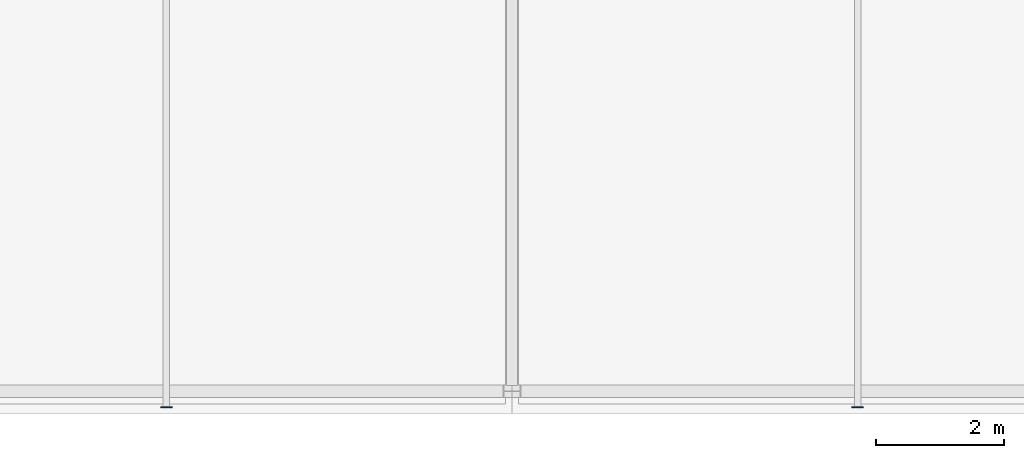
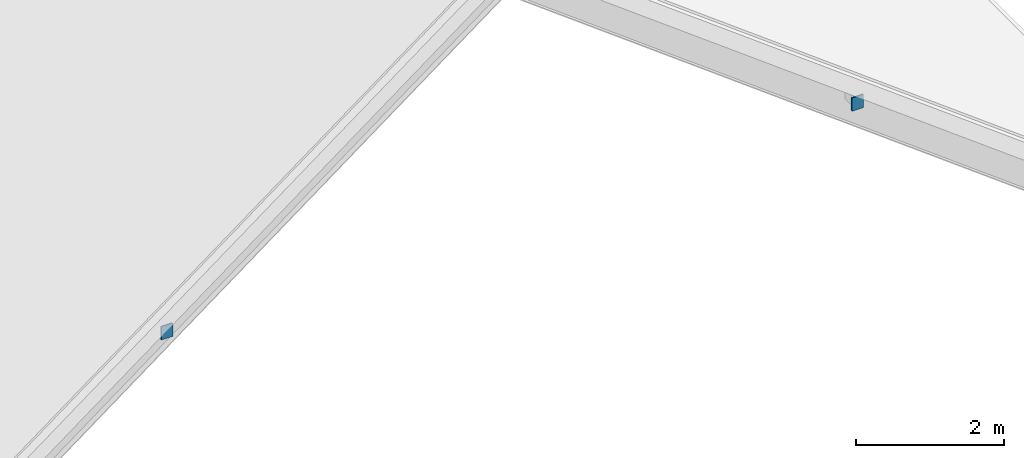
# One storey, part 2 of 3: 2 discrete accessories.
"""IFC4 building model written with IfcOpenShell, lengths in metres."""

import ifcopenshell
import ifcopenshell.guid

model = None  # the IFC model being written
_history = None  # IfcOwnerHistory: only IFC2X3 demands one
_inside = {}  # id of a spatial element -> (the spatial element, [elements in it])
_under = {}  # id of a project, library or spatial element -> (it, [spatial elements below it])
_declared = {}  # id of a project -> (the project, [libraries it declares])
_typed = {}  # id of a type object -> (the type object, [elements of that type])
_made_of = {}  # id of a material, layer set ... -> (it, [elements and type objects made of it])


def new_model(schema):
    """Start an empty IFC model of exactly this schema.

    Asked for "IFC4X3", IfcOpenShell would pick the latest addendum, in which some entities
    have other attributes; the version numbers below select the first issue.
    IFC2X3 requires an IfcOwnerHistory on every rooted entity: one is made here for all.
    """
    global model, _history
    if schema == "IFC4X3":
        model = ifcopenshell.file(schema_version=(4, 3, 0, 0))
    else:
        model = ifcopenshell.file(schema=schema)
    _inside.clear()
    _under.clear()
    _declared.clear()
    _typed.clear()
    _made_of.clear()
    _history = None
    if model.schema == "IFC2X3":
        org = make("IfcOrganization", Name="unknown")
        user = make(
            "IfcPersonAndOrganization",
            ThePerson=make("IfcPerson", FamilyName="unknown"),
            TheOrganization=org,
        )
        app = make(
            "IfcApplication",
            ApplicationDeveloper=org,
            Version="unknown",
            ApplicationFullName="unknown",
            ApplicationIdentifier="unknown",
        )
        _history = make(
            "IfcOwnerHistory",
            OwningUser=user,
            OwningApplication=app,
            ChangeAction="ADDED",
            CreationDate=0,
        )
    return model


def make(cls, **values):
    """One entity of the class cls with the attributes given. An attribute that is None is left unset."""
    return model.create_entity(
        cls, **{name: value for name, value in values.items() if value is not None}
    )


def rooted(cls, **values):
    """An entity with a GlobalId (a new one), such as an element, a storey or a relation."""
    return make(cls, GlobalId=ifcopenshell.guid.new(), OwnerHistory=_history, **values)


def si_unit(unit_type, name, prefix=None):
    """IfcSIUnit, for example si_unit("LENGTHUNIT", "METRE", prefix="MILLI")."""
    return make("IfcSIUnit", UnitType=unit_type, Prefix=prefix, Name=name)


def derived_unit(unit_type, elements):
    """IfcDerivedUnit: a product of units, each with its exponent."""
    return make(
        "IfcDerivedUnit",
        Elements=[
            make("IfcDerivedUnitElement", Unit=unit, Exponent=power)
            for unit, power in elements
        ],
        UnitType=unit_type,
    )


def assignment(units):
    """IfcUnitAssignment: the units of a project."""
    return None if units is None else make("IfcUnitAssignment", Units=units)


def point(xyz):
    """IfcCartesianPoint."""
    return None if xyz is None else make("IfcCartesianPoint", Coordinates=xyz)


def direction(xyz):
    """IfcDirection."""
    return None if xyz is None else make("IfcDirection", DirectionRatios=xyz)


def frame(location, z_axis=None, x_axis=None):
    """IfcAxis2Placement3D, a coordinate frame: its origin and axes. An axis left out is left unset."""
    return make(
        "IfcAxis2Placement3D",
        Location=point(location),
        Axis=direction(z_axis),
        RefDirection=direction(x_axis),
    )


def frame_2d(location, x_axis=None):
    """IfcAxis2Placement2D, a coordinate frame in the plane: its origin and x axis."""
    return make(
        "IfcAxis2Placement2D", Location=point(location), RefDirection=direction(x_axis)
    )


def origin():
    """The frame at (0, 0, 0) with its axes left unset."""
    return frame((0.0, 0.0, 0.0))


def origin_2d():
    """The frame at (0, 0) in the plane with its x axis left unset."""
    return frame_2d((0.0, 0.0))


def place(relative_to, where):
    """IfcLocalPlacement: puts the frame where relative to a parent placement (None: the world)."""
    return make(
        "IfcLocalPlacement", PlacementRelTo=relative_to, RelativePlacement=where
    )


def context(
    kind, dimensions, precision=None, world=None, true_north=None, identifier=None
):
    """IfcGeometricRepresentationContext, for example the 3D "Model" context."""
    return make(
        "IfcGeometricRepresentationContext",
        ContextIdentifier=identifier,
        ContextType=kind,
        CoordinateSpaceDimension=dimensions,
        Precision=precision,
        WorldCoordinateSystem=world,
        TrueNorth=true_north,
    )


def subcontext(parent, identifier, kind, view, scale=None):
    """IfcGeometricRepresentationSubContext, for example "Body" below "Model"."""
    return make(
        "IfcGeometricRepresentationSubContext",
        ContextIdentifier=identifier,
        ContextType=kind,
        ParentContext=parent,
        TargetScale=scale,
        TargetView=view,
    )


def project(units=None, contexts=None):
    """IfcProject with its units and contexts."""
    return rooted(
        "IfcProject",
        Name="project",
        RepresentationContexts=contexts,
        UnitsInContext=assignment(units),
    )


def spatial(cls, under=None, at=None, **own):
    """A site, building, storey or space (cls), placed at a placement, below another one or the project."""
    s = rooted(cls, ObjectPlacement=at, **own)
    if under is not None:
        _under.setdefault(under.id(), (under, []))[1].append(s)
    return s


def profile(cls, at=None, kind="AREA", **sizes):
    """A parametric profile (cls). Its sizes go by their IFC names, for example OverallWidth=200.0."""
    return make(cls, ProfileType=kind, Position=at, **sizes)


def rectangle(**sizes):
    """IfcRectangleProfileDef."""
    return profile("IfcRectangleProfileDef", **sizes)


def extrude(swept, where, along, depth):
    """IfcExtrudedAreaSolid: the profile swept, set in the frame where, extruded along a direction by depth."""
    return make(
        "IfcExtrudedAreaSolid",
        SweptArea=swept,
        Position=where,
        ExtrudedDirection=direction(along),
        Depth=depth,
    )


def shape(context_of_items, identifier, shape_type, items):
    """IfcShapeRepresentation: the items that make up one representation, for example the "Body"."""
    return make(
        "IfcShapeRepresentation",
        ContextOfItems=context_of_items,
        RepresentationIdentifier=identifier,
        RepresentationType=shape_type,
        Items=items,
    )


def material(Name=None, Category=None):
    """IfcMaterial."""
    return make("IfcMaterial", Name=Name, Category=Category)


def made_of(thing, what):
    """Note that an element or type object is made of a material, layer set ...; save() writes the relation."""
    if what is not None:
        _made_of.setdefault(what.id(), (what, []))[1].append(thing)
    return thing


def type_object(cls, material=None, **own):
    """A type object (cls), such as IfcWallType, which elements share."""
    return made_of(rooted(cls, **own), material)


def element(
    cls,
    number,
    at=None,
    inside=None,
    cuts=None,
    type_object=None,
    material=None,
    context=None,
    identifier="Body",
    shape_type=None,
    held_by="IfcProductDefinitionShape",
    body=None,
    shapes=None,
    **own,
):
    """One element of the class cls, such as IfcWall. Its Tag is "e" and its number.

    at: its placement. inside: the storey or other place that contains it. cuts: it is an
    opening in that element (IfcRelVoidsElement). A single representation is given by context,
    identifier, shape_type and body (its items); several are given by shapes. held_by: the class
    of the entity that holds the representations. save() writes the other relations.
    """
    e = rooted(cls, Tag="e%d" % number, ObjectPlacement=at, **own)
    if body is not None:
        shapes = [shape(context, identifier, shape_type, body)]
    if shapes is not None:
        e.Representation = make(held_by, Representations=shapes)
    if inside is not None:
        _inside.setdefault(inside.id(), (inside, []))[1].append(e)
    if cuts is not None:
        rooted(
            "IfcRelVoidsElement", RelatingBuildingElement=cuts, RelatedOpeningElement=e
        )
    if type_object is not None:
        _typed.setdefault(type_object.id(), (type_object, []))[1].append(e)
    return made_of(e, material)


def aggregate(whole, parts):
    """IfcRelAggregates: a whole, such as a stair, and the parts it consists of."""
    return rooted("IfcRelAggregates", RelatingObject=whole, RelatedObjects=parts)


def save(model, path):
    """Write the relations noted so far, then the file.

    IfcRelAggregates (storeys below a building ...), IfcRelContainedInSpatialStructure (elements
    in a storey), IfcRelDefinesByType, IfcRelAssociatesMaterial and IfcRelDeclares: one each for
    every whole, place, type object, material and project.
    """
    for whole, parts in _under.values():
        aggregate(whole, parts)
    for where, things in _inside.values():
        rooted(
            "IfcRelContainedInSpatialStructure",
            RelatedElements=things,
            RelatingStructure=where,
        )
    for kind, things in _typed.values():
        rooted("IfcRelDefinesByType", RelatedObjects=things, RelatingType=kind)
    for what, things in _made_of.values():
        rooted("IfcRelAssociatesMaterial", RelatedObjects=things, RelatingMaterial=what)
    for by, libraries in _declared.values():
        rooted("IfcRelDeclares", RelatingContext=by, RelatedDefinitions=libraries)
    model.write(path)


model = new_model("IFC4")

# Units and contexts
model_context = context("Model", 3, precision=1e-05, world=origin(), true_north=direction((0.0, 1.0)))
body_context = subcontext(model_context, "Body", "Model", "MODEL_VIEW")
ifc_project = project(units=[si_unit("LENGTHUNIT", "METRE"), si_unit("AREAUNIT", "SQUARE_METRE"), si_unit("VOLUMEUNIT", "CUBIC_METRE"), si_unit("PLANEANGLEUNIT", "RADIAN"), si_unit("MASSUNIT", "GRAM", prefix="KILO"), derived_unit("THERMALTRANSMITTANCEUNIT", [(si_unit("MASSUNIT", "GRAM", prefix="KILO"), 1), (si_unit("TIMEUNIT", "SECOND"), -3), (si_unit("THERMODYNAMICTEMPERATUREUNIT", "KELVIN"), -1)])], contexts=[model_context])

# Site, building, storey
site_placement = place(None, origin())
site = spatial("IfcSite", under=ifc_project, at=site_placement, CompositionType="ELEMENT")
building_placement = place(site_placement, origin())
building = spatial("IfcBuilding", under=site, at=building_placement, Name="Ochrekiln Boulevard Commons", CompositionType="ELEMENT")
storey_placement = place(building_placement, frame((0.0, 0.0, 51.675048828125)))
storey = spatial("IfcBuildingStorey", under=building, at=storey_placement, Name="RF", CompositionType="ELEMENT", Elevation=51.675048828125)

# Discrete accessories
ifc_material = material(Name="Steel A992 Grade 50", Category="steel")
discrete_accessory_type = type_object("IfcDiscreteAccessoryType", Name="ACC-GUS-PLATE", PredefinedType="BRACKET", material=ifc_material)
for number, where, z_axis, x_axis, name in (
    (1, (5.39990234375, 68.5, -1.98388671875), (0.0, 0.0, 1.0), (1.0, 0.0, 0.0), "Block A Roof Purlin 1W.1 20 mm Seal End-Cap Plate"),
    (2, (16.199951171875, 68.5, -1.98388671875), (0.0, 0.0, 1.0), (1.0, 0.0, 0.0), "Block A Roof Purlin 1E.1 20 mm Seal End-Cap Plate"),
):
    element("IfcDiscreteAccessory", number, at=place(storey_placement, frame(where, z_axis=z_axis, x_axis=x_axis)), inside=storey, type_object=discrete_accessory_type, Name=name, PredefinedType="BRACKET", context=body_context, shape_type="SweptSolid", body=[
        extrude(rectangle(XDim=0.179931640625, YDim=0.02001953125, at=origin_2d()), origin(), (0.0, 0.0, 1.0), 0.219970703125),
    ])

save(model, "model.ifc")
